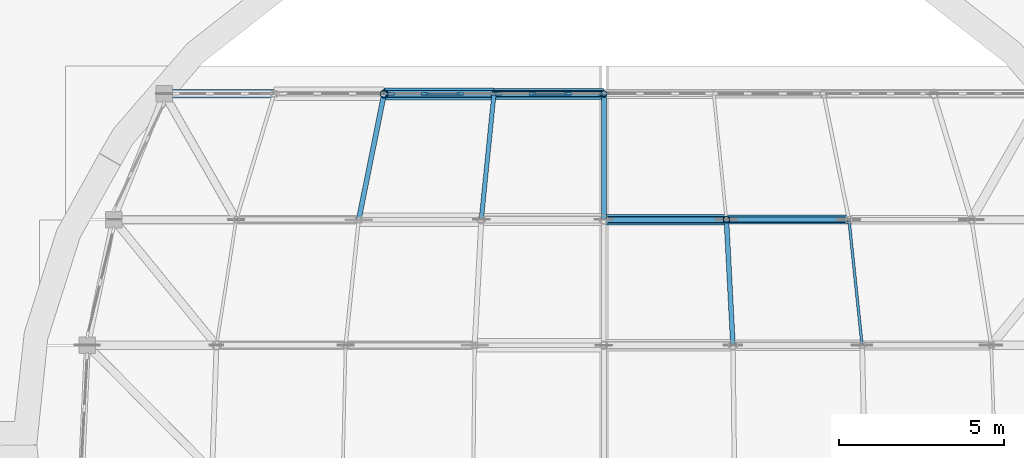
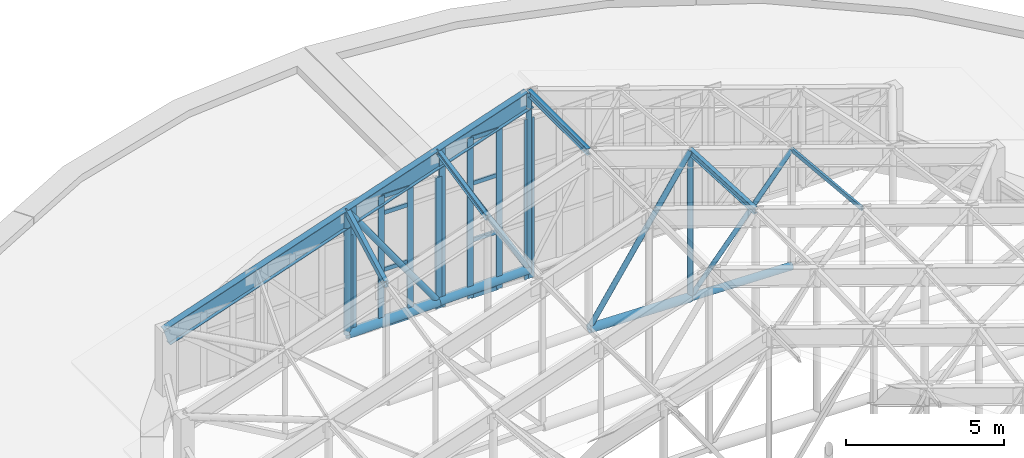
# One storey, part 16 of 105: 34 members, 1 beam, 4 elements without a shape of their own.
"""IFC4 building model written with IfcOpenShell, lengths in metres."""

from ifc_helpers import new_model, si_unit, direction, frame, origin, origin_2d, place, context, subcontext, project, spatial, rectangle, hollow_rectangle, hollow_circle, i_section, extrude, material, material_profile, profile_set, type_object, element, aggregate, save


model = new_model("IFC4")

# Units and contexts
model_context = context("Model", 3, precision=1e-05, world=origin(), true_north=direction((0.0, 1.0)))
body_context = subcontext(model_context, "Body", "Model", "MODEL_VIEW")
ifc_project = project(units=[si_unit("LENGTHUNIT", "METRE"), si_unit("AREAUNIT", "SQUARE_METRE"), si_unit("VOLUMEUNIT", "CUBIC_METRE"), si_unit("PLANEANGLEUNIT", "RADIAN"), si_unit("MASSUNIT", "GRAM", prefix="KILO")], contexts=[model_context])

# Site, building, storey
site_placement = place(None, origin())
site = spatial("IfcSite", under=ifc_project, at=site_placement, CompositionType="ELEMENT")
building_placement = place(site_placement, origin())
building = spatial("IfcBuilding", under=site, at=building_placement, Name="Corveleigh Park Community Centre", CompositionType="ELEMENT")
storey_placement = place(building_placement, frame((0.0, 0.0, 8.699951171875)))
storey = spatial("IfcBuildingStorey", under=building, at=storey_placement, Name="L02", CompositionType="ELEMENT", Elevation=8.699951171875)

# Beam
ifc_material_1 = material(Name="Steel S355", Category="steel")
ifc_material_profile_1 = material_profile(ifc_material_1, i_section(OverallWidth=0.253662109375, OverallDepth=0.68359375, WebThickness=0.012451171875, FlangeThickness=0.01904296875, at=origin_2d()), Name="UKB 686x254x140", Category="steel")
ifc_profile_set_1 = profile_set([ifc_material_profile_1], Name="Steel S355")
beam_type = type_object("IfcBeamType", Name="BM-STL-UKB686x140", PredefinedType="BEAM", material=ifc_profile_set_1)
beam_placement = place(storey_placement, frame((17.7099609375, 38.199951171875, 2.410400390625), z_axis=(0.946285526894, 0.0, 0.323332184588), x_axis=(0.0, 1.0, 0.0)))
element("IfcBeam", 1, at=beam_placement, inside=storey, type_object=beam_type, Name="V1 Portal Rafter W7", PredefinedType="BEAM", context=body_context, shape_type="SweptSolid", body=[
    extrude(i_section(OverallWidth=0.253662109375, OverallDepth=0.68359375, WebThickness=0.012451171875, FlangeThickness=0.01904296875, at=origin_2d()), origin(), (0.0, 0.0, 1.0), 14.04443359375),
])

# Curtain wall, member
ifc_material_2 = material(Name="Anodised aluminium 6063-T6", Category="aluminium")
curtain_wall_type = type_object("IfcCurtainWallType", Name="CW-SYS-V1-DRUM", PredefinedType="NOTDEFINED", material=ifc_material_2)
curtain_wall_1_placement = place(storey_placement, origin())
curtain_wall_1 = element("IfcCurtainWall", 2, at=curtain_wall_1_placement, inside=storey, type_object=curtain_wall_type, Name="Main Hall N Gable Clerestory 2", PredefinedType="NOTDEFINED")
ifc_material_profile_2 = material_profile(ifc_material_2, rectangle(XDim=0.074951171875, YDim=0.219970703125, at=origin_2d()), Name="ALU-M75x220", Category="aluminium")
ifc_profile_set_2 = profile_set([ifc_material_profile_2], Name="Anodised aluminium 6063-T6")
member_type_1 = type_object("IfcMemberType", Name="CWM-75x220", PredefinedType="MULLION", material=ifc_profile_set_2)
member_1_placement = place(storey_placement, frame((24.427490234375, 38.199951171875, 0.0), z_axis=(0.0, 0.0, 1.0), x_axis=(0.0, -1.0, 0.0)))
member_1 = element("IfcMember", 3, at=member_1_placement, type_object=member_type_1, Name="CW02 mullion 1", PredefinedType="MULLION", context=body_context, shape_type="SweptSolid", body=[
    extrude(rectangle(XDim=0.074951171875, YDim=0.219970703125, at=origin_2d()), origin(), (0.0, 0.0, 1.0), 3.967041015625),
])
aggregate(curtain_wall_1, [member_1])

# Curtain wall, members
curtain_wall_2_placement = place(storey_placement, origin())
curtain_wall_2 = element("IfcCurtainWall", 4, at=curtain_wall_2_placement, inside=storey, type_object=curtain_wall_type, Name="Main Hall N Gable Clerestory 3", PredefinedType="NOTDEFINED")
member_2_placement = place(storey_placement, frame((27.680419921875, 38.199951171875, 0.0), z_axis=(0.0, 0.0, 1.0), x_axis=(0.0, -1.0, 0.0)))
member_2 = element("IfcMember", 5, at=member_2_placement, type_object=member_type_1, Name="CW02 mullion 1", PredefinedType="MULLION", context=body_context, shape_type="SweptSolid", body=[
    extrude(rectangle(XDim=0.074951171875, YDim=0.219970703125, at=origin_2d()), origin(), (0.0, 0.0, 1.0), 5.078125),
])
member_3_placement = place(storey_placement, frame((26.653564453125, 38.199951171875, 0.0), z_axis=(0.0, 0.0, 1.0), x_axis=(0.0, -1.0, 0.0)))
member_3 = element("IfcMember", 6, at=member_3_placement, type_object=member_type_1, Name="CW02 mullion 2", PredefinedType="MULLION", context=body_context, shape_type="SweptSolid", body=[
    extrude(rectangle(XDim=0.074951171875, YDim=0.219970703125, at=origin_2d()), origin(), (0.0, 0.0, 1.0), 5.078125),
])
member_4_placement = place(storey_placement, frame((25.58935546875, 38.199951171875, 0.0), z_axis=(0.0, 0.0, 1.0), x_axis=(0.0, -1.0, 0.0)))
member_4 = element("IfcMember", 7, at=member_4_placement, type_object=member_type_1, Name="CW02 mullion 3", PredefinedType="MULLION", context=body_context, shape_type="SweptSolid", body=[
    extrude(rectangle(XDim=0.074951171875, YDim=0.219970703125, at=origin_2d()), origin(), (0.0, 0.0, 1.0), 5.078125),
])
member_5_placement = place(storey_placement, frame((24.5625, 38.199951171875, 0.0), z_axis=(0.0, 0.0, 1.0), x_axis=(0.0, -1.0, 0.0)))
member_5 = element("IfcMember", 8, at=member_5_placement, type_object=member_type_1, Name="CW02 mullion 4", PredefinedType="MULLION", context=body_context, shape_type="SweptSolid", body=[
    extrude(rectangle(XDim=0.074951171875, YDim=0.219970703125, at=origin_2d()), origin(), (0.0, 0.0, 1.0), 5.078125),
])

curtain_wall_3_placement = place(storey_placement, origin())
curtain_wall_3 = element("IfcCurtainWall", 9, at=curtain_wall_3_placement, inside=storey, type_object=curtain_wall_type, Name="Main Hall N Gable Clerestory 4", PredefinedType="NOTDEFINED")
member_6_placement = place(storey_placement, frame((30.9326171875, 38.199951171875, 0.0), z_axis=(0.0, 0.0, 1.0), x_axis=(0.0, -1.0, 0.0)))
member_6 = element("IfcMember", 10, at=member_6_placement, type_object=member_type_1, Name="CW02 mullion 1", PredefinedType="MULLION", context=body_context, shape_type="SweptSolid", body=[
    extrude(rectangle(XDim=0.074951171875, YDim=0.219970703125, at=origin_2d()), origin(), (0.0, 0.0, 1.0), 6.18896484375),
])
member_7_placement = place(storey_placement, frame((29.906005859375, 38.199951171875, 0.0), z_axis=(0.0, 0.0, 1.0), x_axis=(0.0, -1.0, 0.0)))
member_7 = element("IfcMember", 11, at=member_7_placement, type_object=member_type_1, Name="CW02 mullion 2", PredefinedType="MULLION", context=body_context, shape_type="SweptSolid", body=[
    extrude(rectangle(XDim=0.074951171875, YDim=0.219970703125, at=origin_2d()), origin(), (0.0, 0.0, 1.0), 6.18896484375),
])
member_8_placement = place(storey_placement, frame((28.842041015625, 38.199951171875, 0.0), z_axis=(0.0, 0.0, 1.0), x_axis=(0.0, -1.0, 0.0)))
member_8 = element("IfcMember", 12, at=member_8_placement, type_object=member_type_1, Name="CW02 mullion 3", PredefinedType="MULLION", context=body_context, shape_type="SweptSolid", body=[
    extrude(rectangle(XDim=0.074951171875, YDim=0.219970703125, at=origin_2d()), origin(), (0.0, 0.0, 1.0), 6.18896484375),
])
member_9_placement = place(storey_placement, frame((27.8154296875, 38.199951171875, 0.0), z_axis=(0.0, 0.0, 1.0), x_axis=(0.0, -1.0, 0.0)))
member_9 = element("IfcMember", 13, at=member_9_placement, type_object=member_type_1, Name="CW02 mullion 4", PredefinedType="MULLION", context=body_context, shape_type="SweptSolid", body=[
    extrude(rectangle(XDim=0.074951171875, YDim=0.219970703125, at=origin_2d()), origin(), (0.0, 0.0, 1.0), 6.18896484375),
])

# Curtain wall, member
curtain_wall_4_placement = place(storey_placement, origin())
curtain_wall_4 = element("IfcCurtainWall", 14, at=curtain_wall_4_placement, inside=storey, type_object=curtain_wall_type, Name="Main Hall N Gable Clerestory 5", PredefinedType="NOTDEFINED")
member_10_placement = place(storey_placement, frame((31.0673828125, 38.199951171875, 0.0), z_axis=(0.0, 0.0, 1.0), x_axis=(0.0, -1.0, 0.0)))
member_10 = element("IfcMember", 15, at=member_10_placement, type_object=member_type_1, Name="CW02 mullion 4", PredefinedType="MULLION", context=body_context, shape_type="SweptSolid", body=[
    extrude(rectangle(XDim=0.074951171875, YDim=0.219970703125, at=origin_2d()), origin(), (0.0, 0.0, 1.0), 6.18896484375),
])
aggregate(curtain_wall_4, [member_10])

# Member
ifc_material_profile_3 = material_profile(ifc_material_2, rectangle(XDim=0.070068359375, YDim=0.155029296875, at=origin_2d()), Name="ALU-T70x155", Category="aluminium")
ifc_profile_set_3 = profile_set([ifc_material_profile_3], Name="Anodised aluminium 6063-T6")
member_type_2 = type_object("IfcMemberType", Name="CWT-70x155", PredefinedType="USERDEFINED", material=ifc_profile_set_3)
member_11_placement = place(storey_placement, frame((26.6162109375, 38.199951171875, 0.03515625), z_axis=(-1.0, 0.0, 0.0), x_axis=(0.0, -1.0, 0.0)))
member_11 = element("IfcMember", 16, at=member_11_placement, type_object=member_type_2, Name="CW02 transom 2.1", ObjectType="TRANSOM", PredefinedType="USERDEFINED", context=body_context, shape_type="SweptSolid", body=[
    extrude(rectangle(XDim=0.070068359375, YDim=0.155029296875, at=origin_2d()), origin(), (0.0, 0.0, 1.0), 0.9892578125),
])

member_12_placement = place(storey_placement, frame((26.6162109375, 38.199951171875, 2.199951171875), z_axis=(-1.0, 0.0, 0.0), x_axis=(0.0, -1.0, 0.0)))
member_12 = element("IfcMember", 17, at=member_12_placement, type_object=member_type_2, Name="CW02 transom 2.2", ObjectType="TRANSOM", PredefinedType="USERDEFINED", context=body_context, shape_type="SweptSolid", body=[
    extrude(rectangle(XDim=0.070068359375, YDim=0.155029296875, at=origin_2d()), origin(), (0.0, 0.0, 1.0), 0.9892578125),
])

member_13_placement = place(storey_placement, frame((26.6162109375, 38.199951171875, 4.400146484375), z_axis=(-1.0, 0.0, 0.0), x_axis=(0.0, -1.0, 0.0)))
member_13 = element("IfcMember", 18, at=member_13_placement, type_object=member_type_2, Name="CW02 transom 2.3", ObjectType="TRANSOM", PredefinedType="USERDEFINED", context=body_context, shape_type="SweptSolid", body=[
    extrude(rectangle(XDim=0.070068359375, YDim=0.155029296875, at=origin_2d()), origin(), (0.0, 0.0, 1.0), 0.9892578125),
])

member_14_placement = place(storey_placement, frame((26.6162109375, 38.199951171875, 5.04296875), z_axis=(-1.0, 0.0, 0.0), x_axis=(0.0, -1.0, 0.0)))
member_14 = element("IfcMember", 19, at=member_14_placement, type_object=member_type_2, Name="CW02 transom 2.4", ObjectType="TRANSOM", PredefinedType="USERDEFINED", context=body_context, shape_type="SweptSolid", body=[
    extrude(rectangle(XDim=0.070068359375, YDim=0.155029296875, at=origin_2d()), origin(), (0.0, 0.0, 1.0), 0.9892578125),
])

aggregate(curtain_wall_2, [member_2, member_3, member_4, member_5, member_11, member_12, member_13, member_14])

member_15_placement = place(storey_placement, frame((29.868408203125, 38.199951171875, 0.03515625), z_axis=(-1.0, 0.0, 0.0), x_axis=(0.0, -1.0, 0.0)))
member_15 = element("IfcMember", 20, at=member_15_placement, type_object=member_type_2, Name="CW02 transom 2.1", ObjectType="TRANSOM", PredefinedType="USERDEFINED", context=body_context, shape_type="SweptSolid", body=[
    extrude(rectangle(XDim=0.070068359375, YDim=0.155029296875, at=origin_2d()), origin(), (0.0, 0.0, 1.0), 0.989013671875),
])

member_16_placement = place(storey_placement, frame((29.868408203125, 38.199951171875, 2.199951171875), z_axis=(-1.0, 0.0, 0.0), x_axis=(0.0, -1.0, 0.0)))
member_16 = element("IfcMember", 21, at=member_16_placement, type_object=member_type_2, Name="CW02 transom 2.2", ObjectType="TRANSOM", PredefinedType="USERDEFINED", context=body_context, shape_type="SweptSolid", body=[
    extrude(rectangle(XDim=0.070068359375, YDim=0.155029296875, at=origin_2d()), origin(), (0.0, 0.0, 1.0), 0.989013671875),
])

member_17_placement = place(storey_placement, frame((29.868408203125, 38.199951171875, 4.400146484375), z_axis=(-1.0, 0.0, 0.0), x_axis=(0.0, -1.0, 0.0)))
member_17 = element("IfcMember", 22, at=member_17_placement, type_object=member_type_2, Name="CW02 transom 2.3", ObjectType="TRANSOM", PredefinedType="USERDEFINED", context=body_context, shape_type="SweptSolid", body=[
    extrude(rectangle(XDim=0.070068359375, YDim=0.155029296875, at=origin_2d()), origin(), (0.0, 0.0, 1.0), 0.989013671875),
])

member_18_placement = place(storey_placement, frame((29.868408203125, 38.199951171875, 6.154052734375), z_axis=(-1.0, 0.0, 0.0), x_axis=(0.0, -1.0, 0.0)))
member_18 = element("IfcMember", 23, at=member_18_placement, type_object=member_type_2, Name="CW02 transom 2.4", ObjectType="TRANSOM", PredefinedType="USERDEFINED", context=body_context, shape_type="SweptSolid", body=[
    extrude(rectangle(XDim=0.070068359375, YDim=0.155029296875, at=origin_2d()), origin(), (0.0, 0.0, 1.0), 0.989013671875),
])

aggregate(curtain_wall_3, [member_6, member_7, member_8, member_9, member_15, member_16, member_17, member_18])

# Members
ifc_material_profile_4 = material_profile(ifc_material_1, hollow_circle(Radius=0.084228515625, WallThickness=0.008056640625, at=origin_2d()), Name="CHS 168.3x8.0", Category="steel")
ifc_profile_set_4 = profile_set([ifc_material_profile_4], Name="Steel S355")
member_type_3 = type_object("IfcMemberType", Name="MEM-BRC-CHS168", PredefinedType="BRACE", material=ifc_profile_set_4)
member_19_placement = place(storey_placement, frame((38.409912109375, 34.39990234375, 4.66845703125), z_axis=(-0.643536136105, 0.0, -0.765415731173), x_axis=(0.0, -1.0, 0.0)))
element("IfcMember", 24, at=member_19_placement, inside=storey, type_object=member_type_3, Name="V1 Truss T6 Web Diagonal", PredefinedType="BRACE", context=body_context, shape_type="SweptSolid", body=[
    extrude(hollow_circle(Radius=0.084228515625, WallThickness=0.008056640625, at=origin_2d()), origin(), (0.0, 0.0, 1.0), 5.757080078125),
])
ifc_material_profile_5 = material_profile(ifc_material_1, hollow_circle(Radius=0.096923828125, WallThickness=0.010009765625, at=origin_2d()), Name="CHS 193.7x10.0", Category="steel")
ifc_profile_set_5 = profile_set([ifc_material_profile_5], Name="Steel S355")
member_type_4 = type_object("IfcMemberType", Name="MEM-BRC-CHS194", PredefinedType="BRACE", material=ifc_profile_set_5)
member_20_placement = place(storey_placement, frame((34.705078125, 34.39990234375, 5.93408203125), z_axis=(-0.552882909983, 0.0, -0.833258956057), x_axis=(0.0, -1.0, 0.0)))
element("IfcMember", 25, at=member_20_placement, inside=storey, type_object=member_type_4, Name="V1 Truss T6 Web Diagonal", PredefinedType="BRACE", context=body_context, shape_type="SweptSolid", body=[
    extrude(hollow_circle(Radius=0.096923828125, WallThickness=0.010009765625, at=origin_2d()), origin(), (0.0, 0.0, 1.0), 6.701416015625),
])
member_21_placement = place(storey_placement, frame((27.677978515625, 38.199951171875, 6.06494140625), z_axis=(0.502556904369, 0.0, -0.864544132981), x_axis=(0.0, 1.0, 0.0)))
element("IfcMember", 26, at=member_21_placement, inside=storey, type_object=member_type_4, Name="V1 Truss T7 Web Diagonal", PredefinedType="BRACE", context=body_context, shape_type="SweptSolid", body=[
    extrude(hollow_circle(Radius=0.096923828125, WallThickness=0.010009765625, at=origin_2d()), origin(), (0.0, 0.0, 1.0), 6.6103515625),
])
ifc_material_profile_6 = material_profile(ifc_material_1, hollow_circle(Radius=0.109619140625, WallThickness=0.010009765625, at=origin_2d()), Name="CHS 219.1x10.0", Category="steel")
ifc_profile_set_6 = profile_set([ifc_material_profile_6], Name="Steel S355")
member_type_5 = type_object("IfcMemberType", Name="MEM-BRC-CHS219", PredefinedType="BRACE", material=ifc_profile_set_6)
member_22_placement = place(storey_placement, frame((24.35498046875, 38.199951171875, 4.9296875), z_axis=(0.579955737648, 0.0, -0.814647986783), x_axis=(0.0, 1.0, 0.0)))
element("IfcMember", 27, at=member_22_placement, inside=storey, type_object=member_type_5, Name="V1 Truss T7 Web Diagonal", PredefinedType="BRACE", context=body_context, shape_type="SweptSolid", body=[
    extrude(hollow_circle(Radius=0.109619140625, WallThickness=0.010009765625, at=origin_2d()), origin(), (0.0, 0.0, 1.0), 5.729736328125),
])
ifc_material_profile_7 = material_profile(ifc_material_1, hollow_circle(Radius=0.136474609375, WallThickness=0.012451171875, at=origin_2d()), Name="CHS 273.0x12.5", Category="steel")
ifc_profile_set_7 = profile_set([ifc_material_profile_7], Name="Steel S355")
member_type_6 = type_object("IfcMemberType", Name="MEM-CHD-CHS273", PredefinedType="CHORD", material=ifc_profile_set_7)
member_23_placement = place(storey_placement, frame((34.705078125, 34.39990234375, 0.261962890625), z_axis=(0.999724936234, 0.0, -0.023453184666), x_axis=(0.0, 1.0, 0.0)))
element("IfcMember", 28, at=member_23_placement, inside=storey, type_object=member_type_6, Name="V1 Truss T6 Bottom Chord", PredefinedType="CHORD", context=body_context, shape_type="SweptSolid", body=[
    extrude(hollow_circle(Radius=0.136474609375, WallThickness=0.012451171875, at=origin_2d()), origin(), (0.0, 0.0, 1.0), 3.705810546875),
])
ifc_material_profile_8 = material_profile(ifc_material_1, hollow_circle(Radius=0.161865234375, WallThickness=0.01611328125, at=origin_2d()), Name="CHS 323.9x16.0", Category="steel")
ifc_profile_set_8 = profile_set([ifc_material_profile_8], Name="Steel S355")
member_type_7 = type_object("IfcMemberType", Name="MEM-CHD-CHS324", PredefinedType="CHORD", material=ifc_profile_set_8)
member_24_placement = place(storey_placement, frame((31.0, 34.39990234375, 0.35009765625), z_axis=(0.999717196024, 0.0, -0.023780832088), x_axis=(0.0, 1.0, 0.0)))
element("IfcMember", 29, at=member_24_placement, inside=storey, type_object=member_type_7, Name="V1 Truss T6 Bottom Chord", PredefinedType="CHORD", context=body_context, shape_type="SweptSolid", body=[
    extrude(hollow_circle(Radius=0.161865234375, WallThickness=0.01611328125, at=origin_2d()), origin(), (0.0, 0.0, 1.0), 3.7060546875),
])
member_25_placement = place(storey_placement, frame((27.677978515625, 38.199951171875, 0.261962890625), z_axis=(0.999648252962, 0.0, 0.026521130251), x_axis=(0.0, 1.0, 0.0)))
element("IfcMember", 30, at=member_25_placement, inside=storey, type_object=member_type_7, Name="V1 Truss T7 Bottom Chord", PredefinedType="CHORD", context=body_context, shape_type="SweptSolid", body=[
    extrude(hollow_circle(Radius=0.161865234375, WallThickness=0.01611328125, at=origin_2d()), origin(), (0.0, 0.0, 1.0), 3.3232421875),
])
ifc_material_profile_9 = material_profile(ifc_material_1, hollow_circle(Radius=0.177734375, WallThickness=0.01611328125, at=origin_2d()), Name="CHS 355.6x16.0", Category="steel")
ifc_profile_set_9 = profile_set([ifc_material_profile_9], Name="Steel S355")
member_type_8 = type_object("IfcMemberType", Name="MEM-CHD-CHS356", PredefinedType="CHORD", material=ifc_profile_set_9)
member_26_placement = place(storey_placement, frame((24.35498046875, 38.199951171875, 0.175048828125), z_axis=(0.999658125132, 0.0, 0.026146373709), x_axis=(0.0, 1.0, 0.0)))
element("IfcMember", 31, at=member_26_placement, inside=storey, type_object=member_type_8, Name="V1 Truss T7 Bottom Chord", PredefinedType="CHORD", context=body_context, shape_type="SweptSolid", body=[
    extrude(hollow_circle(Radius=0.177734375, WallThickness=0.01611328125, at=origin_2d()), origin(), (0.0, 0.0, 1.0), 3.32421875),
])
ifc_material_profile_10 = material_profile(ifc_material_1, hollow_rectangle(XDim=0.080078125, YDim=0.159912109375, WallThickness=0.008056640625, at=origin_2d()), Name="RHS 160x80x8.0", Category="steel")
ifc_profile_set_10 = profile_set([ifc_material_profile_10], Name="Steel S355")
member_type_9 = type_object("IfcMemberType", Name="MEM-PRL-RHS160", PredefinedType="PURLIN", material=ifc_profile_set_10)
member_27_placement = place(storey_placement, frame((38.806884765625, 30.60009765625, 4.5556640625), z_axis=(-0.103840837742, 0.993959900744, 0.035507691134), x_axis=(-0.994587084267, -0.10390636077, 0.0)))
element("IfcMember", 32, at=member_27_placement, inside=storey, type_object=member_type_9, Name="V1 Pitched Roof Purlin", PredefinedType="PURLIN", context=body_context, shape_type="SweptSolid", body=[
    extrude(hollow_rectangle(XDim=0.080078125, YDim=0.159912109375, WallThickness=0.008056640625, at=origin_2d()), origin(), (0.0, 0.0, 1.0), 3.822998046875),
])
ifc_material_profile_11 = material_profile(ifc_material_1, hollow_rectangle(XDim=0.14990234375, YDim=0.25, WallThickness=0.010009765625, at=origin_2d()), Name="RHS 250x150x10.0", Category="steel")
ifc_profile_set_11 = profile_set([ifc_material_profile_11], Name="Steel S355")
member_type_10 = type_object("IfcMemberType", Name="MEM-PRL-RHS250", PredefinedType="PURLIN", material=ifc_profile_set_11)
member_28_placement = place(storey_placement, frame((23.591064453125, 34.39990234375, 4.646728515625), z_axis=(0.19663981617, 0.978171536813, 0.067180557202), x_axis=(-0.980386391973, 0.197085063956, 0.0)))
element("IfcMember", 33, at=member_28_placement, inside=storey, type_object=member_type_10, Name="V1 Pitched Roof Purlin", PredefinedType="PURLIN", context=body_context, shape_type="SweptSolid", body=[
    extrude(hollow_rectangle(XDim=0.14990234375, YDim=0.25, WallThickness=0.010009765625, at=origin_2d()), origin(), (0.0, 0.0, 1.0), 3.884765625),
])
ifc_material_profile_12 = material_profile(ifc_material_1, i_section(OverallWidth=0.13330078125, OverallDepth=0.203125, WebThickness=0.005615234375, FlangeThickness=0.0078125, at=origin_2d()), Name="UKB 203x133x25", Category="steel")
ifc_profile_set_12 = profile_set([ifc_material_profile_12], Name="Steel S355")
member_type_11 = type_object("IfcMemberType", Name="MEM-PRL-UKB203", PredefinedType="PURLIN", material=ifc_profile_set_12)
member_29_placement = place(storey_placement, frame((27.294921875, 34.39990234375, 5.935546875), z_axis=(0.100235993293, 0.994374273807, 0.034242506313), x_axis=(-0.994957763384, 0.100294810842, 0.0)))
element("IfcMember", 34, at=member_29_placement, inside=storey, type_object=member_type_11, Name="V1 Pitched Roof Purlin", PredefinedType="PURLIN", context=body_context, shape_type="SweptSolid", body=[
    extrude(i_section(OverallWidth=0.13330078125, OverallDepth=0.203125, WebThickness=0.005615234375, FlangeThickness=0.0078125, at=origin_2d()), origin(), (0.0, 0.0, 1.0), 3.821533203125),
])
ifc_material_profile_13 = material_profile(ifc_material_1, i_section(OverallWidth=0.14599609375, OverallDepth=0.25146484375, WebThickness=0.006103515625, FlangeThickness=0.008544921875, at=origin_2d()), Name="UKB 254x146x31", Category="steel")
ifc_profile_set_13 = profile_set([ifc_material_profile_13], Name="Steel S355")
member_type_12 = type_object("IfcMemberType", Name="MEM-PRL-UKB254", PredefinedType="PURLIN", material=ifc_profile_set_13)
member_30_placement = place(storey_placement, frame((34.903076171875, 30.60009765625, 5.84375), z_axis=(-0.052028613421, 0.998487471381, 0.017770562167), x_axis=(-0.998645166349, -0.0520368305, 0.0)))
element("IfcMember", 35, at=member_30_placement, inside=storey, type_object=member_type_12, Name="V1 Pitched Roof Purlin", PredefinedType="PURLIN", context=body_context, shape_type="SweptSolid", body=[
    extrude(i_section(OverallWidth=0.14599609375, OverallDepth=0.25146484375, WebThickness=0.006103515625, FlangeThickness=0.008544921875, at=origin_2d()), origin(), (0.0, 0.0, 1.0), 3.8056640625),
])
member_31_placement = place(storey_placement, frame((31.0, 34.39990234375, 7.17724609375), z_axis=(0.0, 1.0, 0.0), x_axis=(-1.0, 0.0, 0.0)))
element("IfcMember", 36, at=member_31_placement, inside=storey, type_object=member_type_12, Name="V1 Pitched Roof Purlin", PredefinedType="PURLIN", context=body_context, shape_type="SweptSolid", body=[
    extrude(i_section(OverallWidth=0.14599609375, OverallDepth=0.25146484375, WebThickness=0.006103515625, FlangeThickness=0.008544921875, at=origin_2d()), origin(), (0.0, 0.0, 1.0), 3.800048828125),
])
ifc_material_profile_14 = material_profile(ifc_material_1, hollow_circle(Radius=0.096923828125, WallThickness=0.010009765625, at=origin_2d()), Name="CHS 193.7x10.0", Category="steel")
ifc_profile_set_14 = profile_set([ifc_material_profile_14], Name="Steel S355")
member_type_13 = type_object("IfcMemberType", Name="MEM-STR-CHS194I", PredefinedType="STRUT", material=ifc_profile_set_14)
member_32_placement = place(storey_placement, frame((34.705078125, 34.39990234375, 0.261962890625), z_axis=(0.0, 0.0, 1.0), x_axis=(1.0, 0.0, 0.0)))
element("IfcMember", 37, at=member_32_placement, inside=storey, type_object=member_type_13, Name="V1 Truss T6 Web Post", PredefinedType="STRUT", context=body_context, shape_type="SweptSolid", body=[
    extrude(hollow_circle(Radius=0.096923828125, WallThickness=0.010009765625, at=origin_2d()), origin(), (0.0, 0.0, 1.0), 5.672119140625),
])
member_33_placement = place(storey_placement, frame((31.0, 38.199951171875, 0.35009765625), z_axis=(0.0, 0.0, 1.0), x_axis=(1.0, 0.0, 0.0)))
element("IfcMember", 38, at=member_33_placement, inside=storey, type_object=member_type_13, Name="V1 Truss T7 Web Post", PredefinedType="STRUT", context=body_context, shape_type="SweptSolid", body=[
    extrude(hollow_circle(Radius=0.096923828125, WallThickness=0.010009765625, at=origin_2d()), origin(), (0.0, 0.0, 1.0), 6.849853515625),
])
ifc_material_profile_15 = material_profile(ifc_material_1, hollow_circle(Radius=0.122314453125, WallThickness=0.012451171875, at=origin_2d()), Name="CHS 244.5x12.5", Category="steel")
ifc_profile_set_15 = profile_set([ifc_material_profile_15], Name="Steel S355")
member_type_14 = type_object("IfcMemberType", Name="MEM-STR-CHS245", PredefinedType="STRUT", material=ifc_profile_set_15)
member_34_placement = place(storey_placement, frame((24.35498046875, 38.199951171875, 0.175048828125), z_axis=(0.0, 0.0, 1.0), x_axis=(1.0, 0.0, 0.0)))
element("IfcMember", 39, at=member_34_placement, inside=storey, type_object=member_type_14, Name="V1 Truss T7 Web Post", PredefinedType="STRUT", context=body_context, shape_type="SweptSolid", body=[
    extrude(hollow_circle(Radius=0.122314453125, WallThickness=0.012451171875, at=origin_2d()), origin(), (0.0, 0.0, 1.0), 4.754638671875),
])

save(model, "model.ifc")
